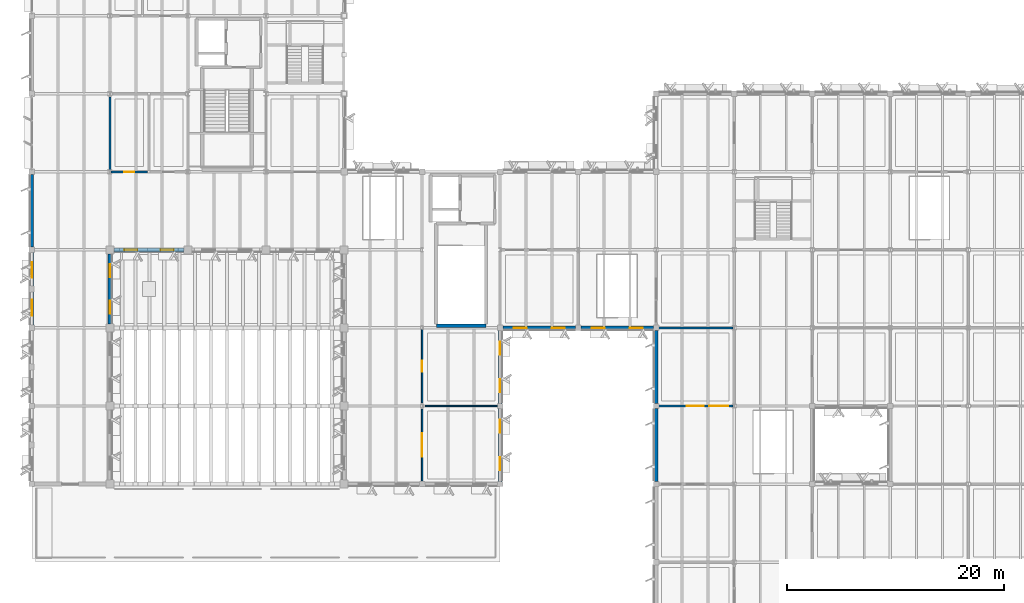
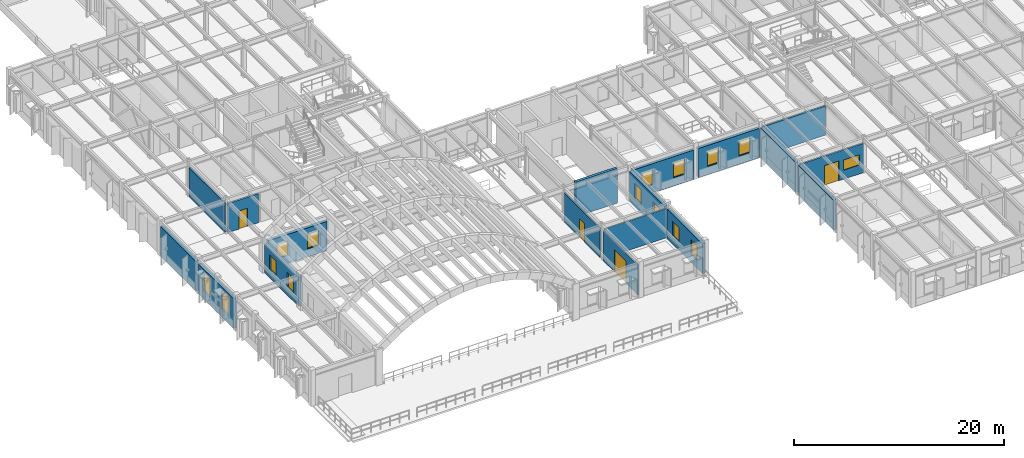
# One storey, part 32 of 85: 18 walls, 15 windows, 4 doors, 19 openings.
"""IFC4 building model written with IfcOpenShell, lengths in metres."""

from ifc_helpers import new_model, si_unit, direction, frame, frame_2d, origin, place, context, subcontext, project, spatial, rectangle, extrude, material, layer, layer_set, type_object, element, fill, save


model = new_model("IFC4")

# Units and contexts
model_context = context("Model", 3, precision=1e-05, world=origin(), true_north=direction((0.0, 1.0)))
body_context = subcontext(model_context, "Body", "Model", "MODEL_VIEW")
ifc_project = project(units=[si_unit("LENGTHUNIT", "METRE"), si_unit("AREAUNIT", "SQUARE_METRE"), si_unit("VOLUMEUNIT", "CUBIC_METRE"), si_unit("PLANEANGLEUNIT", "RADIAN"), si_unit("MASSUNIT", "GRAM", prefix="KILO")], contexts=[model_context])

# Site, building, storey
site_placement = place(None, origin())
site = spatial("IfcSite", under=ifc_project, at=site_placement, CompositionType="ELEMENT")
building_placement = place(site_placement, origin())
building = spatial("IfcBuilding", under=site, at=building_placement, Name="Sillqori Civic Hall", CompositionType="ELEMENT")
storey_placement = place(building_placement, frame((0.0, 0.0, 9.89990234375)))
storey = spatial("IfcBuildingStorey", under=building, at=storey_placement, Name="L03", CompositionType="ELEMENT", Elevation=9.89990234375)

# Wall
ifc_material_1 = material(Name="Concrete C35/45 (H35)", Category="concrete")
ifc_layer_1 = layer(ifc_material_1, 0.300048828125)
ifc_layer_set_1 = layer_set([ifc_layer_1], Name="Concrete C35/45 (H35)")
wall_type_1 = type_object("IfcWallType", Name="CW-SHR-300", PredefinedType="SHEAR", material=ifc_layer_set_1)
wall_1_placement = place(storey_placement, frame((44.510009765625, 36.199951171875, 0.0), z_axis=(0.0, 0.0, 1.0), x_axis=(1.0, 0.0, 0.0)))
element("IfcWall", 1, at=wall_1_placement, inside=storey, type_object=wall_type_1, Name="L03 C1 Stair south shear wall", PredefinedType="SHEAR", context=body_context, shape_type="SweptSolid", body=[
    extrude(rectangle(XDim=4.580078125, YDim=0.300048828125, at=frame_2d((2.2900390625, 0.0))), origin(), (0.0, 0.0, 1.0), 4.02001953125),
])

# Wall, openings, windows
ifc_material_2 = material(Name="Precast concrete C40/50 (H40)", Category="concrete")
ifc_layer_2 = layer(ifc_material_2, 0.340087890625)
ifc_layer_set_2 = layer_set([ifc_layer_2], Name="Precast concrete C40/50 (H40)")
wall_type_2 = type_object("IfcWallType", Name="EW-ARC-340", PredefinedType="SOLIDWALL", material=ifc_layer_set_2)
wall_2_placement = place(storey_placement, frame((7.199951171875, 36.25, 0.0), z_axis=(0.0, 0.0, 1.0), x_axis=(0.0, 1.0, 0.0)))
wall_2 = element("IfcWall", 2, at=wall_2_placement, inside=storey, type_object=wall_type_2, Name="L03 V1 exterior wall L03-01-05-W", PredefinedType="SOLIDWALL", context=body_context, shape_type="SweptSolid", body=[
    extrude(rectangle(XDim=6.699951171875, YDim=0.340087890625, at=frame_2d((3.35009765625, 0.0))), origin(), (0.0, 0.0, 1.0), 3.467041015625),
])
opening_1_placement = place(wall_2_placement, frame((0.883056640625, 0.0, 0.949951171875)))
opening_1 = element("IfcOpeningElement", 3, at=opening_1_placement, cuts=wall_2, Name="Opening W-30", PredefinedType="OPENING", context=body_context, shape_type="SweptSolid", body=[
    extrude(rectangle(XDim=1.449951171875, YDim=2.14990234375, at=frame_2d((0.72509765625, 1.074951171875))), frame((0.0, 0.179931640625, 0.0), z_axis=(0.0, -1.0, 0.0), x_axis=(1.0, 0.0, 0.0)), (0.0, 0.0, 1.0), 0.360107421875),
])
opening_2_placement = place(wall_2_placement, frame((4.366943359375, 0.0, 0.949951171875)))
opening_2 = element("IfcOpeningElement", 4, at=opening_2_placement, cuts=wall_2, Name="Opening W-30", PredefinedType="OPENING", context=body_context, shape_type="SweptSolid", body=[
    extrude(rectangle(XDim=1.449951171875, YDim=2.14990234375, at=frame_2d((0.72509765625, 1.074951171875))), frame((0.0, 0.179931640625, 0.0), z_axis=(0.0, -1.0, 0.0), x_axis=(1.0, 0.0, 0.0)), (0.0, 0.0, 1.0), 0.360107421875),
])
ifc_material_3 = material(Name="Thermally Broken Aluminium Low-E Window", Category="aluminium")
window_type_1 = type_object("IfcWindowType", Name="WIN-GD-145X215", PartitioningType="SINGLE_PANEL", PredefinedType="WINDOW", material=ifc_material_3)
window_1_placement = place(opening_1_placement, origin())
window_1 = element("IfcWindow", 5, at=window_1_placement, inside=storey, type_object=window_type_1, Name="L03 V1 window L03-01-05-W.1", OverallHeight=2.14990234375, OverallWidth=1.449951171875, PartitioningType="SINGLE_PANEL", PredefinedType="WINDOW", context=body_context, shape_type="SweptSolid", body=[
    extrude(rectangle(XDim=1.449951171875, YDim=2.14990234375, at=frame_2d((0.72509765625, 1.074951171875))), frame((0.0, 0.030029296875, 0.0), z_axis=(0.0, -1.0, 0.0), x_axis=(1.0, 0.0, 0.0)), (0.0, 0.0, 1.0), 0.06005859375),
])
fill(opening_1, window_1)
window_2_placement = place(opening_2_placement, origin())
window_2 = element("IfcWindow", 6, at=window_2_placement, inside=storey, type_object=window_type_1, Name="L03 V1 window L03-01-05-W.2", OverallHeight=2.14990234375, OverallWidth=1.449951171875, PartitioningType="SINGLE_PANEL", PredefinedType="WINDOW", context=body_context, shape_type="SweptSolid", body=[
    extrude(rectangle(XDim=1.449951171875, YDim=2.14990234375, at=frame_2d((0.72509765625, 1.074951171875))), frame((0.0, 0.030029296875, 0.0), z_axis=(0.0, -1.0, 0.0), x_axis=(1.0, 0.0, 0.0)), (0.0, 0.0, 1.0), 0.06005859375),
])
fill(opening_2, window_2)

wall_3_placement = place(storey_placement, frame((14.39990234375, 42.824951171875, 0.0), z_axis=(0.0, 0.0, 1.0), x_axis=(0.0, -1.0, 0.0)))
wall_3 = element("IfcWall", 7, at=wall_3_placement, inside=storey, type_object=wall_type_2, Name="L03 V1 exterior wall L03-01-05-E", PredefinedType="SOLIDWALL", context=body_context, shape_type="SweptSolid", body=[
    extrude(rectangle(XDim=6.449951171875, YDim=0.340087890625, at=frame_2d((3.22509765625, 0.0))), origin(), (0.0, 0.0, 1.0), 3.35009765625),
])
opening_3_placement = place(wall_3_placement, frame((0.947998046875, 0.0, 0.949951171875)))
opening_3 = element("IfcOpeningElement", 8, at=opening_3_placement, cuts=wall_3, Name="Opening W-22", PredefinedType="OPENING", context=body_context, shape_type="SweptSolid", body=[
    extrude(rectangle(XDim=1.199951171875, YDim=1.699951171875, at=frame_2d((0.60009765625, 0.85009765625))), frame((0.0, 0.179931640625, 0.0), z_axis=(0.0, -1.0, 0.0), x_axis=(1.0, 0.0, 0.0)), (0.0, 0.0, 1.0), 0.360107421875),
])
opening_4_placement = place(wall_3_placement, frame((4.302001953125, 0.0, 0.949951171875)))
opening_4 = element("IfcOpeningElement", 9, at=opening_4_placement, cuts=wall_3, Name="Opening W-22", PredefinedType="OPENING", context=body_context, shape_type="SweptSolid", body=[
    extrude(rectangle(XDim=1.199951171875, YDim=1.699951171875, at=frame_2d((0.60009765625, 0.85009765625))), frame((0.0, 0.179931640625, 0.0), z_axis=(0.0, -1.0, 0.0), x_axis=(1.0, 0.0, 0.0)), (0.0, 0.0, 1.0), 0.360107421875),
])
window_type_2 = type_object("IfcWindowType", Name="WIN-V5-120X170", PartitioningType="SINGLE_PANEL", PredefinedType="WINDOW", material=ifc_material_3)
window_3_placement = place(opening_3_placement, origin())
window_3 = element("IfcWindow", 10, at=window_3_placement, inside=storey, type_object=window_type_2, Name="L03 V1 window L03-01-05-E.1", OverallHeight=1.699951171875, OverallWidth=1.199951171875, PartitioningType="SINGLE_PANEL", PredefinedType="WINDOW", context=body_context, shape_type="SweptSolid", body=[
    extrude(rectangle(XDim=1.199951171875, YDim=1.699951171875, at=frame_2d((0.60009765625, 0.85009765625))), frame((0.0, 0.030029296875, 0.0), z_axis=(0.0, -1.0, 0.0), x_axis=(1.0, 0.0, 0.0)), (0.0, 0.0, 1.0), 0.06005859375),
])
fill(opening_3, window_3)
window_4_placement = place(opening_4_placement, origin())
window_4 = element("IfcWindow", 11, at=window_4_placement, inside=storey, type_object=window_type_2, Name="L03 V1 window L03-01-05-E.2", OverallHeight=1.699951171875, OverallWidth=1.199951171875, PartitioningType="SINGLE_PANEL", PredefinedType="WINDOW", context=body_context, shape_type="SweptSolid", body=[
    extrude(rectangle(XDim=1.199951171875, YDim=1.699951171875, at=frame_2d((0.60009765625, 0.85009765625))), frame((0.0, 0.030029296875, 0.0), z_axis=(0.0, -1.0, 0.0), x_axis=(1.0, 0.0, 0.0)), (0.0, 0.0, 1.0), 0.06005859375),
])
fill(opening_4, window_4)

# Wall
wall_4_placement = place(storey_placement, frame((7.199951171875, 43.449951171875, 0.0), z_axis=(0.0, 0.0, 1.0), x_axis=(0.0, 1.0, 0.0)))
element("IfcWall", 12, at=wall_4_placement, inside=storey, type_object=wall_type_2, Name="L03 V1 exterior wall L03-01-06-W", PredefinedType="SOLIDWALL", context=body_context, shape_type="SweptSolid", body=[
    extrude(rectangle(XDim=6.699951171875, YDim=0.340087890625, at=frame_2d((3.35009765625, 0.0))), origin(), (0.0, 0.0, 1.0), 3.467041015625),
])

# Wall, openings, windows
wall_5_placement = place(storey_placement, frame((21.22509765625, 43.199951171875, 0.0), z_axis=(0.0, 0.0, 1.0), x_axis=(-1.0, 0.0, 0.0)))
wall_5 = element("IfcWall", 13, at=wall_5_placement, inside=storey, type_object=wall_type_2, Name="L03 V1 exterior wall L03-02-06-S", PredefinedType="SOLIDWALL", context=body_context, shape_type="SweptSolid", body=[
    extrude(rectangle(XDim=6.4501953125, YDim=0.340087890625, at=frame_2d((3.22509765625, 0.0))), origin(), (0.0, 0.0, 1.0), 3.398193359375),
])
opening_5_placement = place(wall_5_placement, frame((0.947998046875, 0.0, 0.949951171875)))
opening_5 = element("IfcOpeningElement", 14, at=opening_5_placement, cuts=wall_5, Name="Opening W-22", PredefinedType="OPENING", context=body_context, shape_type="SweptSolid", body=[
    extrude(rectangle(XDim=1.199951171875, YDim=1.699951171875, at=frame_2d((0.60009765625, 0.85009765625))), frame((0.0, 0.179931640625, 0.0), z_axis=(0.0, -1.0, 0.0), x_axis=(1.0, 0.0, 0.0)), (0.0, 0.0, 1.0), 0.360107421875),
])
opening_6_placement = place(wall_5_placement, frame((4.302001953125, 0.0, 0.949951171875)))
opening_6 = element("IfcOpeningElement", 15, at=opening_6_placement, cuts=wall_5, Name="Opening W-22", PredefinedType="OPENING", context=body_context, shape_type="SweptSolid", body=[
    extrude(rectangle(XDim=1.199951171875, YDim=1.699951171875, at=frame_2d((0.60009765625, 0.85009765625))), frame((0.0, 0.179931640625, 0.0), z_axis=(0.0, -1.0, 0.0), x_axis=(1.0, 0.0, 0.0)), (0.0, 0.0, 1.0), 0.360107421875),
])
window_5_placement = place(opening_5_placement, origin())
window_5 = element("IfcWindow", 16, at=window_5_placement, inside=storey, type_object=window_type_2, Name="L03 V1 window L03-02-06-S.1", OverallHeight=1.699951171875, OverallWidth=1.199951171875, PartitioningType="SINGLE_PANEL", PredefinedType="WINDOW", context=body_context, shape_type="SweptSolid", body=[
    extrude(rectangle(XDim=1.199951171875, YDim=1.699951171875, at=frame_2d((0.60009765625, 0.85009765625))), frame((0.0, 0.030029296875, 0.0), z_axis=(0.0, -1.0, 0.0), x_axis=(1.0, 0.0, 0.0)), (0.0, 0.0, 1.0), 0.06005859375),
])
fill(opening_5, window_5)
window_6_placement = place(opening_6_placement, origin())
window_6 = element("IfcWindow", 17, at=window_6_placement, inside=storey, type_object=window_type_2, Name="L03 V1 window L03-02-06-S.2", OverallHeight=1.699951171875, OverallWidth=1.199951171875, PartitioningType="SINGLE_PANEL", PredefinedType="WINDOW", context=body_context, shape_type="SweptSolid", body=[
    extrude(rectangle(XDim=1.199951171875, YDim=1.699951171875, at=frame_2d((0.60009765625, 0.85009765625))), frame((0.0, 0.030029296875, 0.0), z_axis=(0.0, -1.0, 0.0), x_axis=(1.0, 0.0, 0.0)), (0.0, 0.0, 1.0), 0.06005859375),
])
fill(opening_6, window_6)

wall_6_placement = place(storey_placement, frame((50.39990234375, 28.550048828125, 0.0), z_axis=(0.0, 0.0, 1.0), x_axis=(0.0, -1.0, 0.0)))
wall_6 = element("IfcWall", 18, at=wall_6_placement, inside=storey, type_object=wall_type_2, Name="L03 V1 exterior wall L03-06-03-E", PredefinedType="SOLIDWALL", context=body_context, shape_type="SweptSolid", body=[
    extrude(rectangle(XDim=6.699951171875, YDim=0.340087890625, at=frame_2d((3.35009765625, 0.0))), origin(), (0.0, 0.0, 1.0), 3.467041015625),
])
opening_7_placement = place(wall_6_placement, frame((1.008056640625, 0.0, 0.949951171875)))
opening_7 = element("IfcOpeningElement", 19, at=opening_7_placement, cuts=wall_6, Name="Opening W-22", PredefinedType="OPENING", context=body_context, shape_type="SweptSolid", body=[
    extrude(rectangle(XDim=1.199951171875, YDim=1.699951171875, at=frame_2d((0.60009765625, 0.85009765625))), frame((0.0, 0.179931640625, 0.0), z_axis=(0.0, -1.0, 0.0), x_axis=(1.0, 0.0, 0.0)), (0.0, 0.0, 1.0), 0.360107421875),
])
opening_8_placement = place(wall_6_placement, frame((4.491943359375, 0.0, 0.949951171875)))
opening_8 = element("IfcOpeningElement", 20, at=opening_8_placement, cuts=wall_6, Name="Opening W-22", PredefinedType="OPENING", context=body_context, shape_type="SweptSolid", body=[
    extrude(rectangle(XDim=1.199951171875, YDim=1.699951171875, at=frame_2d((0.60009765625, 0.85009765625))), frame((0.0, 0.179931640625, 0.0), z_axis=(0.0, -1.0, 0.0), x_axis=(1.0, 0.0, 0.0)), (0.0, 0.0, 1.0), 0.360107421875),
])
window_7_placement = place(opening_7_placement, origin())
window_7 = element("IfcWindow", 21, at=window_7_placement, inside=storey, type_object=window_type_2, Name="L03 V1 window L03-06-03-E.1", OverallHeight=1.699951171875, OverallWidth=1.199951171875, PartitioningType="SINGLE_PANEL", PredefinedType="WINDOW", context=body_context, shape_type="SweptSolid", body=[
    extrude(rectangle(XDim=1.199951171875, YDim=1.699951171875, at=frame_2d((0.60009765625, 0.85009765625))), frame((0.0, 0.030029296875, 0.0), z_axis=(0.0, -1.0, 0.0), x_axis=(1.0, 0.0, 0.0)), (0.0, 0.0, 1.0), 0.06005859375),
])
fill(opening_7, window_7)
window_8_placement = place(opening_8_placement, origin())
window_8 = element("IfcWindow", 22, at=window_8_placement, inside=storey, type_object=window_type_2, Name="L03 V1 window L03-06-03-E.2", OverallHeight=1.699951171875, OverallWidth=1.199951171875, PartitioningType="SINGLE_PANEL", PredefinedType="WINDOW", context=body_context, shape_type="SweptSolid", body=[
    extrude(rectangle(XDim=1.199951171875, YDim=1.699951171875, at=frame_2d((0.60009765625, 0.85009765625))), frame((0.0, 0.030029296875, 0.0), z_axis=(0.0, -1.0, 0.0), x_axis=(1.0, 0.0, 0.0)), (0.0, 0.0, 1.0), 0.06005859375),
])
fill(opening_8, window_8)

wall_7_placement = place(storey_placement, frame((50.39990234375, 35.75, 0.0), z_axis=(0.0, 0.0, 1.0), x_axis=(0.0, -1.0, 0.0)))
wall_7 = element("IfcWall", 23, at=wall_7_placement, inside=storey, type_object=wall_type_2, Name="L03 V1 exterior wall L03-06-04-E", PredefinedType="SOLIDWALL", context=body_context, shape_type="SweptSolid", body=[
    extrude(rectangle(XDim=6.699951171875, YDim=0.340087890625, at=frame_2d((3.35009765625, 0.0))), origin(), (0.0, 0.0, 1.0), 3.467041015625),
])
opening_9_placement = place(wall_7_placement, frame((1.008056640625, 0.0, 0.949951171875)))
opening_9 = element("IfcOpeningElement", 24, at=opening_9_placement, cuts=wall_7, Name="Opening W-22", PredefinedType="OPENING", context=body_context, shape_type="SweptSolid", body=[
    extrude(rectangle(XDim=1.199951171875, YDim=1.699951171875, at=frame_2d((0.60009765625, 0.85009765625))), frame((0.0, 0.179931640625, 0.0), z_axis=(0.0, -1.0, 0.0), x_axis=(1.0, 0.0, 0.0)), (0.0, 0.0, 1.0), 0.360107421875),
])
opening_10_placement = place(wall_7_placement, frame((4.491943359375, 0.0, 0.949951171875)))
opening_10 = element("IfcOpeningElement", 25, at=opening_10_placement, cuts=wall_7, Name="Opening W-22", PredefinedType="OPENING", context=body_context, shape_type="SweptSolid", body=[
    extrude(rectangle(XDim=1.199951171875, YDim=1.699951171875, at=frame_2d((0.60009765625, 0.85009765625))), frame((0.0, 0.179931640625, 0.0), z_axis=(0.0, -1.0, 0.0), x_axis=(1.0, 0.0, 0.0)), (0.0, 0.0, 1.0), 0.360107421875),
])
window_9_placement = place(opening_9_placement, origin())
window_9 = element("IfcWindow", 26, at=window_9_placement, inside=storey, type_object=window_type_2, Name="L03 V1 window L03-06-04-E.1", OverallHeight=1.699951171875, OverallWidth=1.199951171875, PartitioningType="SINGLE_PANEL", PredefinedType="WINDOW", context=body_context, shape_type="SweptSolid", body=[
    extrude(rectangle(XDim=1.199951171875, YDim=1.699951171875, at=frame_2d((0.60009765625, 0.85009765625))), frame((0.0, 0.030029296875, 0.0), z_axis=(0.0, -1.0, 0.0), x_axis=(1.0, 0.0, 0.0)), (0.0, 0.0, 1.0), 0.06005859375),
])
fill(opening_9, window_9)
window_10_placement = place(opening_10_placement, origin())
window_10 = element("IfcWindow", 27, at=window_10_placement, inside=storey, type_object=window_type_2, Name="L03 V1 window L03-06-04-E.2", OverallHeight=1.699951171875, OverallWidth=1.199951171875, PartitioningType="SINGLE_PANEL", PredefinedType="WINDOW", context=body_context, shape_type="SweptSolid", body=[
    extrude(rectangle(XDim=1.199951171875, YDim=1.699951171875, at=frame_2d((0.60009765625, 0.85009765625))), frame((0.0, 0.030029296875, 0.0), z_axis=(0.0, -1.0, 0.0), x_axis=(1.0, 0.0, 0.0)), (0.0, 0.0, 1.0), 0.06005859375),
])
fill(opening_10, window_10)

wall_8_placement = place(storey_placement, frame((57.35009765625, 36.0, 0.0), z_axis=(0.0, 0.0, 1.0), x_axis=(-1.0, 0.0, 0.0)))
wall_8 = element("IfcWall", 28, at=wall_8_placement, inside=storey, type_object=wall_type_2, Name="L03 V1 exterior wall L03-07-05-S", PredefinedType="SOLIDWALL", context=body_context, shape_type="SweptSolid", body=[
    extrude(rectangle(XDim=6.7001953125, YDim=0.340087890625, at=frame_2d((3.35009765625, 0.0))), origin(), (0.0, 0.0, 1.0), 3.398193359375),
])
opening_11_placement = place(wall_8_placement, frame((1.008056640625, 0.0, 0.949951171875)))
opening_11 = element("IfcOpeningElement", 29, at=opening_11_placement, cuts=wall_8, Name="Opening W-22", PredefinedType="OPENING", context=body_context, shape_type="SweptSolid", body=[
    extrude(rectangle(XDim=1.199951171875, YDim=1.699951171875, at=frame_2d((0.60009765625, 0.85009765625))), frame((0.0, 0.179931640625, 0.0), z_axis=(0.0, -1.0, 0.0), x_axis=(1.0, 0.0, 0.0)), (0.0, 0.0, 1.0), 0.360107421875),
])
opening_12_placement = place(wall_8_placement, frame((4.491943359375, 0.0, 0.949951171875)))
opening_12 = element("IfcOpeningElement", 30, at=opening_12_placement, cuts=wall_8, Name="Opening W-22", PredefinedType="OPENING", context=body_context, shape_type="SweptSolid", body=[
    extrude(rectangle(XDim=1.199951171875, YDim=1.699951171875, at=frame_2d((0.60009765625, 0.85009765625))), frame((0.0, 0.179931640625, 0.0), z_axis=(0.0, -1.0, 0.0), x_axis=(1.0, 0.0, 0.0)), (0.0, 0.0, 1.0), 0.360107421875),
])
window_11_placement = place(opening_11_placement, origin())
window_11 = element("IfcWindow", 31, at=window_11_placement, inside=storey, type_object=window_type_2, Name="L03 V1 window L03-07-05-S.1", OverallHeight=1.699951171875, OverallWidth=1.199951171875, PartitioningType="SINGLE_PANEL", PredefinedType="WINDOW", context=body_context, shape_type="SweptSolid", body=[
    extrude(rectangle(XDim=1.199951171875, YDim=1.699951171875, at=frame_2d((0.60009765625, 0.85009765625))), frame((0.0, 0.030029296875, 0.0), z_axis=(0.0, -1.0, 0.0), x_axis=(1.0, 0.0, 0.0)), (0.0, 0.0, 1.0), 0.06005859375),
])
fill(opening_11, window_11)
window_12_placement = place(opening_12_placement, origin())
window_12 = element("IfcWindow", 32, at=window_12_placement, inside=storey, type_object=window_type_2, Name="L03 V1 window L03-07-05-S.2", OverallHeight=1.699951171875, OverallWidth=1.199951171875, PartitioningType="SINGLE_PANEL", PredefinedType="WINDOW", context=body_context, shape_type="SweptSolid", body=[
    extrude(rectangle(XDim=1.199951171875, YDim=1.699951171875, at=frame_2d((0.60009765625, 0.85009765625))), frame((0.0, 0.030029296875, 0.0), z_axis=(0.0, -1.0, 0.0), x_axis=(1.0, 0.0, 0.0)), (0.0, 0.0, 1.0), 0.06005859375),
])
fill(opening_12, window_12)

wall_9_placement = place(storey_placement, frame((64.550048828125, 36.0, 0.0), z_axis=(0.0, 0.0, 1.0), x_axis=(-1.0, 0.0, 0.0)))
wall_9 = element("IfcWall", 33, at=wall_9_placement, inside=storey, type_object=wall_type_2, Name="L03 V1 exterior wall L03-08-05-S", PredefinedType="SOLIDWALL", context=body_context, shape_type="SweptSolid", body=[
    extrude(rectangle(XDim=6.699951171875, YDim=0.340087890625, at=frame_2d((3.35009765625, 0.0))), origin(), (0.0, 0.0, 1.0), 3.398193359375),
])
opening_13_placement = place(wall_9_placement, frame((1.008056640625, 0.0, 0.949951171875)))
opening_13 = element("IfcOpeningElement", 34, at=opening_13_placement, cuts=wall_9, Name="Opening W-22", PredefinedType="OPENING", context=body_context, shape_type="SweptSolid", body=[
    extrude(rectangle(XDim=1.199951171875, YDim=1.699951171875, at=frame_2d((0.60009765625, 0.85009765625))), frame((0.0, 0.179931640625, 0.0), z_axis=(0.0, -1.0, 0.0), x_axis=(1.0, 0.0, 0.0)), (0.0, 0.0, 1.0), 0.360107421875),
])
opening_14_placement = place(wall_9_placement, frame((4.491943359375, 0.0, 0.949951171875)))
opening_14 = element("IfcOpeningElement", 35, at=opening_14_placement, cuts=wall_9, Name="Opening W-22", PredefinedType="OPENING", context=body_context, shape_type="SweptSolid", body=[
    extrude(rectangle(XDim=1.199951171875, YDim=1.699951171875, at=frame_2d((0.60009765625, 0.85009765625))), frame((0.0, 0.179931640625, 0.0), z_axis=(0.0, -1.0, 0.0), x_axis=(1.0, 0.0, 0.0)), (0.0, 0.0, 1.0), 0.360107421875),
])
window_13_placement = place(opening_13_placement, origin())
window_13 = element("IfcWindow", 36, at=window_13_placement, inside=storey, type_object=window_type_2, Name="L03 V1 window L03-08-05-S.1", OverallHeight=1.699951171875, OverallWidth=1.199951171875, PartitioningType="SINGLE_PANEL", PredefinedType="WINDOW", context=body_context, shape_type="SweptSolid", body=[
    extrude(rectangle(XDim=1.199951171875, YDim=1.699951171875, at=frame_2d((0.60009765625, 0.85009765625))), frame((0.0, 0.030029296875, 0.0), z_axis=(0.0, -1.0, 0.0), x_axis=(1.0, 0.0, 0.0)), (0.0, 0.0, 1.0), 0.06005859375),
])
fill(opening_13, window_13)
window_14_placement = place(opening_14_placement, origin())
window_14 = element("IfcWindow", 37, at=window_14_placement, inside=storey, type_object=window_type_2, Name="L03 V1 window L03-08-05-S.2", OverallHeight=1.699951171875, OverallWidth=1.199951171875, PartitioningType="SINGLE_PANEL", PredefinedType="WINDOW", context=body_context, shape_type="SweptSolid", body=[
    extrude(rectangle(XDim=1.199951171875, YDim=1.699951171875, at=frame_2d((0.60009765625, 0.85009765625))), frame((0.0, 0.030029296875, 0.0), z_axis=(0.0, -1.0, 0.0), x_axis=(1.0, 0.0, 0.0)), (0.0, 0.0, 1.0), 0.06005859375),
])
fill(opening_14, window_14)

# Walls
ifc_layer_3 = layer(ifc_material_2, 0.320068359375)
ifc_layer_set_3 = layer_set([ifc_layer_3], Name="Precast concrete C40/50 (H40)")
wall_type_3 = type_object("IfcWallType", Name="EW-LIME-320", PredefinedType="SOLIDWALL", material=ifc_layer_set_3)
for number, where, z_axis, x_axis, name in (
    (38, (64.800048828125, 21.85009765625, 0.0), (0.0, 0.0, 1.0), (0.0, 1.0, 0.0), "L03 V2 exterior wall L03-09-03-W"),
    (39, (64.800048828125, 29.050048828125, 0.0), (0.0, 0.0, 1.0), (0.0, 1.0, 0.0), "L03 V2 exterior wall L03-09-04-W"),
):
    element("IfcWall", number, at=place(storey_placement, frame(where, z_axis=z_axis, x_axis=x_axis)), inside=storey, type_object=wall_type_3, Name=name, PredefinedType="SOLIDWALL", context=body_context, shape_type="SweptSolid", body=[
        extrude(rectangle(XDim=6.699951171875, YDim=0.320068359375, at=frame_2d((3.35009765625, 0.0))), origin(), (0.0, 0.0, 1.0), 3.487060546875),
    ])

# Wall, opening, door
ifc_material_4 = material(Name="Double-Board Acoustic Partition 135", Category="gypsum")
ifc_layer_4 = layer(ifc_material_4, 0.135009765625)
ifc_layer_set_4 = layer_set([ifc_layer_4], Name="Double-Board Acoustic Partition 135")
wall_type_4 = type_object("IfcWallType", Name="PT-GYP-135", PredefinedType="PARTITIONING", material=ifc_layer_set_4)
wall_10_placement = place(storey_placement, frame((43.199951171875, 21.8798828125, 0.0), z_axis=(0.0, 0.0, 1.0), x_axis=(0.0, 1.0, 0.0)))
wall_10 = element("IfcWall", 40, at=wall_10_placement, inside=storey, type_object=wall_type_4, Name="Council Chamber partition W1", PredefinedType="PARTITIONING", context=body_context, shape_type="SweptSolid", body=[
    extrude(rectangle(XDim=6.64013671875, YDim=0.135009765625, at=frame_2d((3.320068359375, 0.0))), origin(), (0.0, 0.0, 1.0), 3.45703125),
])
opening_15_placement = place(wall_10_placement, frame((2.219970703125, 0.0, 0.0)))
opening_15 = element("IfcOpeningElement", 41, at=opening_15_placement, cuts=wall_10, Name="Opening ID-01", PredefinedType="OPENING", context=body_context, shape_type="SweptSolid", body=[
    extrude(rectangle(XDim=2.199951171875, YDim=2.60009765625, at=frame_2d((1.10009765625, 1.300048828125))), frame((0.0, 0.077392578125, 0.0), z_axis=(0.0, -1.0, 0.0), x_axis=(1.0, 0.0, 0.0)), (0.0, 0.0, 1.0), 0.155029296875),
])
ifc_material_5 = material(Name="Acoustic Andean Cedar Chamber Portal", Category="timber")
door_type_1 = type_object("IfcDoorType", Name="IDR-CHM-220X260", OperationType="NOTDEFINED", PredefinedType="DOOR", material=ifc_material_5)
door_1_placement = place(opening_15_placement, origin())
door_1 = element("IfcDoor", 42, at=door_1_placement, inside=storey, type_object=door_type_1, Name="Council Chamber entrance door", OperationType="DOUBLE_DOOR_SINGLE_SWING", OverallHeight=2.60009765625, OverallWidth=2.199951171875, PredefinedType="DOOR", context=body_context, shape_type="SweptSolid", body=[
    extrude(rectangle(XDim=2.199951171875, YDim=2.60009765625, at=frame_2d((1.10009765625, 1.300048828125))), frame((0.0, 0.02490234375, 0.0), z_axis=(0.0, -1.0, 0.0), x_axis=(1.0, 0.0, 0.0)), (0.0, 0.0, 1.0), 0.050048828125),
])
fill(opening_15, door_1)

# Wall
wall_11_placement = place(storey_placement, frame((43.47998046875, 28.800048828125, 0.0), z_axis=(0.0, 0.0, 1.0), x_axis=(1.0, 0.0, 0.0)))
element("IfcWall", 43, at=wall_11_placement, inside=storey, type_object=wall_type_4, Name="Council Chamber partition N2", PredefinedType="PARTITIONING", context=body_context, shape_type="SweptSolid", body=[
    extrude(rectangle(XDim=6.800048828125, YDim=0.135009765625, at=frame_2d((3.39990234375, 0.0))), origin(), (0.0, 0.0, 1.0), 3.38818359375),
])

# Wall, opening, door
ifc_material_6 = material(Name="Corridor Rated Partition 142", Category="gypsum")
ifc_layer_5 = layer(ifc_material_6, 0.14208984375)
ifc_layer_set_5 = layer_set([ifc_layer_5], Name="Corridor Rated Partition 142")
wall_type_5 = type_object("IfcWallType", Name="PT-GYP-142", PredefinedType="PARTITIONING", material=ifc_layer_set_5)
wall_12_placement = place(storey_placement, frame((43.199951171875, 29.080078125, 0.0), z_axis=(0.0, 0.0, 1.0), x_axis=(0.0, 1.0, 0.0)))
wall_12 = element("IfcWall", 44, at=wall_12_placement, inside=storey, type_object=wall_type_5, Name="Council Presidency Robing and Caucus Salon partition W1", PredefinedType="PARTITIONING", context=body_context, shape_type="SweptSolid", body=[
    extrude(rectangle(XDim=6.7998046875, YDim=0.14208984375, at=frame_2d((3.39990234375, 0.0))), origin(), (0.0, 0.0, 1.0), 3.38818359375),
])
opening_16_placement = place(wall_12_placement, frame((2.89990234375, 0.0, 0.0)))
opening_16 = element("IfcOpeningElement", 45, at=opening_16_placement, cuts=wall_12, Name="Opening ID-13", PredefinedType="OPENING", context=body_context, shape_type="SweptSolid", body=[
    extrude(rectangle(XDim=1.0, YDim=2.14990234375, at=frame_2d((0.5, 1.074951171875))), frame((0.0, 0.0810546875, 0.0), z_axis=(0.0, -1.0, 0.0), x_axis=(1.0, 0.0, 0.0)), (0.0, 0.0, 1.0), 0.162109375),
])
ifc_material_7 = material(Name="Solid-Core Cedar Office Door 1000", Category="timber")
door_type_2 = type_object("IfcDoorType", Name="IDR-OFF-100X215", OperationType="NOTDEFINED", PredefinedType="DOOR", material=ifc_material_7)
door_2_placement = place(opening_16_placement, origin())
door_2 = element("IfcDoor", 46, at=door_2_placement, inside=storey, type_object=door_type_2, Name="Council Presidency Robing and Caucus Salon entrance door", OperationType="SINGLE_SWING_LEFT", OverallHeight=2.14990234375, OverallWidth=1.0, PredefinedType="DOOR", context=body_context, shape_type="SweptSolid", body=[
    extrude(rectangle(XDim=1.0, YDim=2.14990234375, at=frame_2d((0.5, 1.074951171875))), frame((0.0, 0.02490234375, 0.0), z_axis=(0.0, -1.0, 0.0), x_axis=(1.0, 0.0, 0.0)), (0.0, 0.0, 1.0), 0.050048828125),
])
fill(opening_16, door_2)

# Wall, openings, door, window
ifc_material_8 = material(Name="Concrete C25/30 (H25)", Category="concrete")
ifc_layer_6 = layer(ifc_material_8, 0.18505859375)
ifc_layer_set_6 = layer_set([ifc_layer_6], Name="Concrete C25/30 (H25)")
wall_type_6 = type_object("IfcWallType", Name="PT-MAS-185", PredefinedType="PARTITIONING", material=ifc_layer_set_6)
wall_13_placement = place(storey_placement, frame((71.8798828125, 28.800048828125, 0.0), z_axis=(0.0, 0.0, 1.0), x_axis=(-1.0, 0.0, 0.0)))
wall_13 = element("IfcWall", 47, at=wall_13_placement, inside=storey, type_object=wall_type_6, Name="Youth Municipal Council Workshop Studio partition S1", PredefinedType="PARTITIONING", context=body_context, shape_type="SweptSolid", body=[
    extrude(rectangle(XDim=6.9599609375, YDim=0.18505859375, at=frame_2d((3.47998046875, 0.0))), origin(), (0.0, 0.0, 1.0), 3.408203125),
])
opening_17_placement = place(wall_13_placement, frame((2.705078125, 0.0, 0.0)))
opening_17 = element("IfcOpeningElement", 48, at=opening_17_placement, cuts=wall_13, Name="Opening ID-08", PredefinedType="OPENING", context=body_context, shape_type="SweptSolid", body=[
    extrude(rectangle(XDim=1.550048828125, YDim=2.300048828125, at=frame_2d((0.77490234375, 1.14990234375))), frame((0.0, 0.1025390625, 0.0), z_axis=(0.0, -1.0, 0.0), x_axis=(1.0, 0.0, 0.0)), (0.0, 0.0, 1.0), 0.205078125),
])
opening_18_placement = place(wall_13_placement, frame((0.449951171875, 0.0, 1.050048828125)))
opening_18 = element("IfcOpeningElement", 49, at=opening_18_placement, cuts=wall_13, Name="Opening IW-14", PredefinedType="OPENING", context=body_context, shape_type="SweptSolid", body=[
    extrude(rectangle(XDim=1.75, YDim=1.179931640625, at=frame_2d((0.875, 0.58984375))), frame((0.0, 0.1025390625, 0.0), z_axis=(0.0, -1.0, 0.0), x_axis=(1.0, 0.0, 0.0)), (0.0, 0.0, 1.0), 0.205078125),
])
ifc_material_9 = material(Name="Community Room Double Leaf Door", Category="timber")
door_type_3 = type_object("IfcDoorType", Name="IDR-CMY-155X230", OperationType="NOTDEFINED", PredefinedType="DOOR", material=ifc_material_9)
door_3_placement = place(opening_17_placement, origin())
door_3 = element("IfcDoor", 50, at=door_3_placement, inside=storey, type_object=door_type_3, Name="Youth Municipal Council Workshop Studio entrance door", OperationType="DOUBLE_DOOR_SINGLE_SWING", OverallHeight=2.300048828125, OverallWidth=1.550048828125, PredefinedType="DOOR", context=body_context, shape_type="SweptSolid", body=[
    extrude(rectangle(XDim=1.550048828125, YDim=2.300048828125, at=frame_2d((0.77490234375, 1.14990234375))), frame((0.0, 0.02490234375, 0.0), z_axis=(0.0, -1.0, 0.0), x_axis=(1.0, 0.0, 0.0)), (0.0, 0.0, 1.0), 0.050048828125),
])
fill(opening_17, door_3)
ifc_material_10 = material(Name="Acoustic Laminated Interior Clerestory Glazing", Category="glass")
window_type_3 = type_object("IfcWindowType", Name="IWN-STU-175X118", PartitioningType="SINGLE_PANEL", PredefinedType="WINDOW", material=ifc_material_10)
window_15_placement = place(opening_18_placement, origin())
window_15 = element("IfcWindow", 51, at=window_15_placement, inside=storey, type_object=window_type_3, Name="Youth Municipal Council Workshop Studio borrowed-light screen", OverallHeight=1.179931640625, OverallWidth=1.75, PartitioningType="SINGLE_PANEL", PredefinedType="WINDOW", context=body_context, shape_type="SweptSolid", body=[
    extrude(rectangle(XDim=1.75, YDim=1.179931640625, at=frame_2d((0.875, 0.58984375))), frame((0.0, 0.030029296875, 0.0), z_axis=(0.0, -1.0, 0.0), x_axis=(1.0, 0.0, 0.0)), (0.0, 0.0, 1.0), 0.06005859375),
])
fill(opening_18, window_15)

# Wall
wall_14_placement = place(storey_placement, frame((64.919921875, 36.0, 0.0), z_axis=(0.0, 0.0, 1.0), x_axis=(1.0, 0.0, 0.0)))
element("IfcWall", 52, at=wall_14_placement, inside=storey, type_object=wall_type_6, Name="Youth Municipal Council Workshop Studio partition N2", PredefinedType="PARTITIONING", context=body_context, shape_type="SweptSolid", body=[
    extrude(rectangle(XDim=6.9599609375, YDim=0.18505859375, at=frame_2d((3.47998046875, 0.0))), origin(), (0.0, 0.0, 1.0), 3.408203125),
])

# Wall, opening, door
ifc_layer_7 = layer(ifc_material_8, 0.18994140625)
ifc_layer_set_7 = layer_set([ifc_layer_7], Name="Concrete C25/30 (H25)")
wall_type_7 = type_object("IfcWallType", Name="PT-MAS-190", PredefinedType="PARTITIONING", material=ifc_layer_set_7)
wall_15_placement = place(storey_placement, frame((17.8798828125, 50.39990234375, 0.0), z_axis=(0.0, 0.0, 1.0), x_axis=(-1.0, 0.0, 0.0)))
wall_15 = element("IfcWall", 53, at=wall_15_placement, inside=storey, type_object=wall_type_7, Name="L03 Public Male WC partition S1", PredefinedType="PARTITIONING", context=body_context, shape_type="SweptSolid", body=[
    extrude(rectangle(XDim=3.35986328125, YDim=0.18994140625, at=frame_2d((1.679931640625, 0.0))), origin(), (0.0, 0.0, 1.0), 3.38818359375),
])
opening_19_placement = place(wall_15_placement, frame((1.219970703125, 0.0, 0.0)))
opening_19 = element("IfcOpeningElement", 54, at=opening_19_placement, cuts=wall_15, Name="Opening ID-19", PredefinedType="OPENING", context=body_context, shape_type="SweptSolid", body=[
    extrude(rectangle(XDim=0.919921875, YDim=2.10009765625, at=frame_2d((0.4599609375, 1.050048828125))), frame((0.0, 0.10498046875, 0.0), z_axis=(0.0, -1.0, 0.0), x_axis=(1.0, 0.0, 0.0)), (0.0, 0.0, 1.0), 0.2099609375),
])
ifc_material_11 = material(Name="Moisture-Resistant Sanitary Door 920", Category="timber")
door_type_4 = type_object("IfcDoorType", Name="IDR-WC-092X210", OperationType="NOTDEFINED", PredefinedType="DOOR", material=ifc_material_11)
door_4_placement = place(opening_19_placement, origin())
door_4 = element("IfcDoor", 55, at=door_4_placement, inside=storey, type_object=door_type_4, Name="L03 Public Male WC entrance door", OperationType="SINGLE_SWING_LEFT", OverallHeight=2.10009765625, OverallWidth=0.919921875, PredefinedType="DOOR", context=body_context, shape_type="SweptSolid", body=[
    extrude(rectangle(XDim=0.919921875, YDim=2.10009765625, at=frame_2d((0.4599609375, 1.050048828125))), frame((0.0, 0.02490234375, 0.0), z_axis=(0.0, -1.0, 0.0), x_axis=(1.0, 0.0, 0.0)), (0.0, 0.0, 1.0), 0.050048828125),
])
fill(opening_19, door_4)

# Wall
wall_16_placement = place(storey_placement, frame((14.39990234375, 50.52001953125, 0.0), z_axis=(0.0, 0.0, 1.0), x_axis=(0.0, 1.0, 0.0)))
element("IfcWall", 56, at=wall_16_placement, inside=storey, type_object=wall_type_7, Name="L03 Public Male WC partition W3", PredefinedType="PARTITIONING", context=body_context, shape_type="SweptSolid", body=[
    extrude(rectangle(XDim=6.800048828125, YDim=0.18994140625, at=frame_2d((3.39990234375, 0.0))), origin(), (0.0, 0.0, 1.0), 3.38818359375),
])

save(model, "model.ifc")
